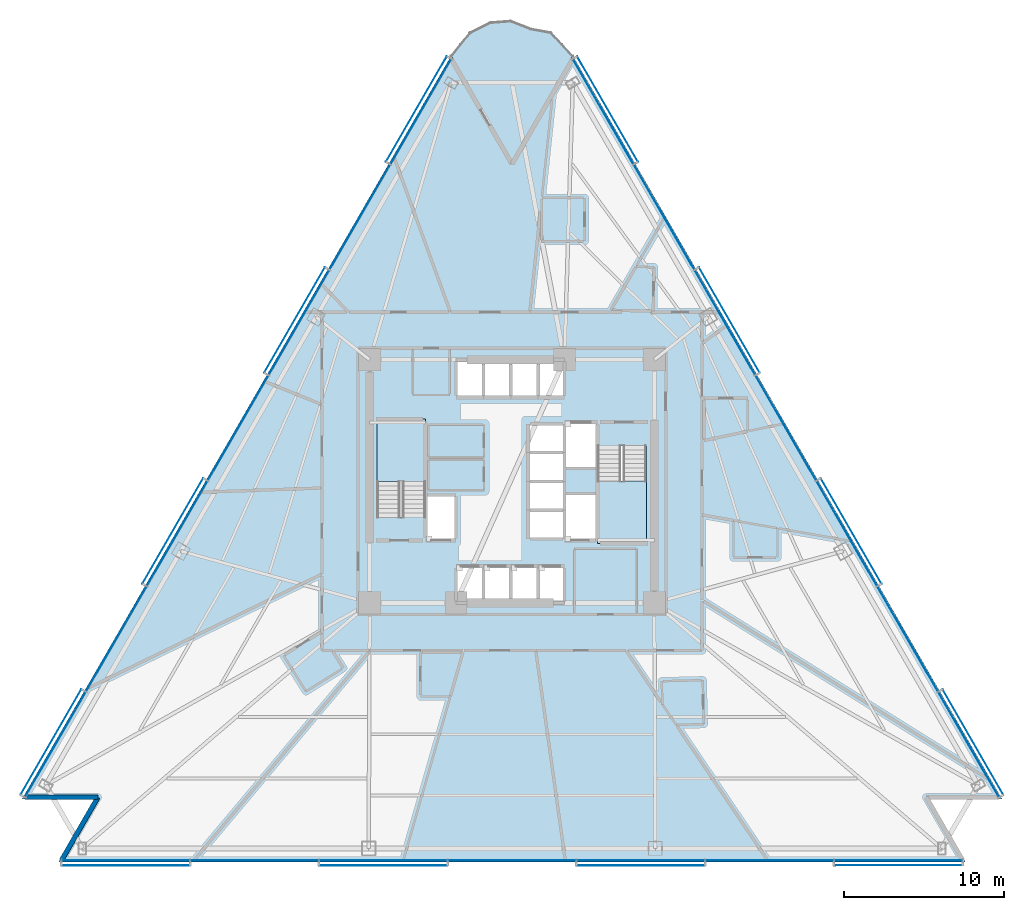
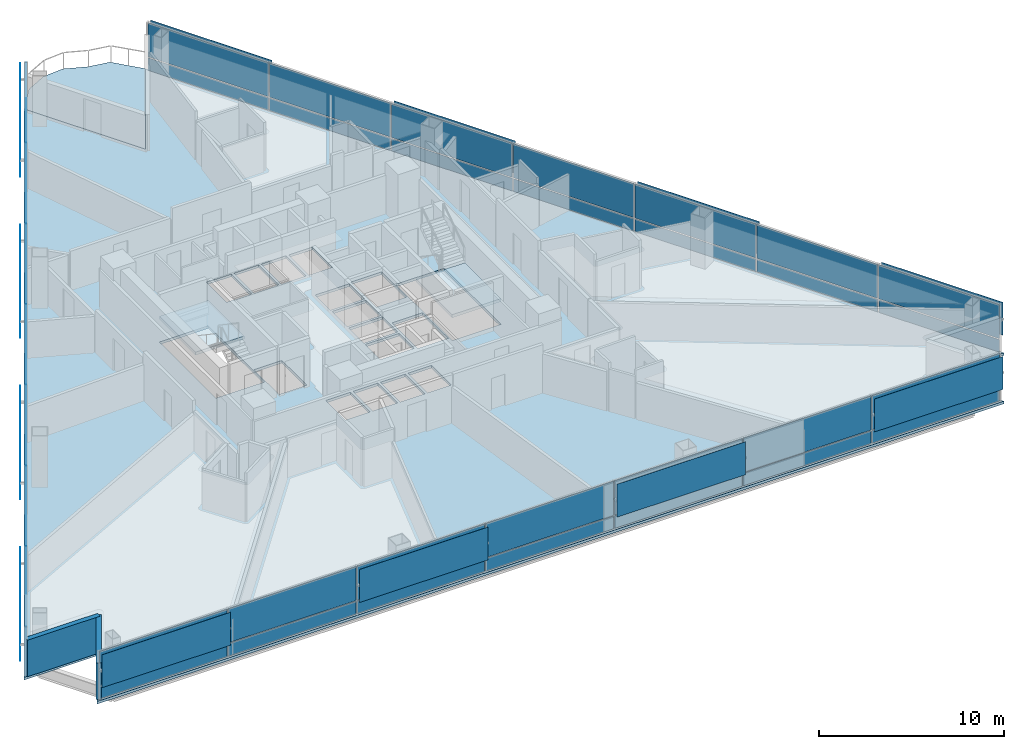
# One storey, part 6 of 17: 54 plates, 4 slabs, 2 walls, 5 elements without a shape of their own.
"""IFC4 building model written with IfcOpenShell, lengths in metres."""

from ifc_helpers import new_model, si_unit, direction, frame, frame_2d, origin, origin_2d, place, context, subcontext, project, spatial, polyline, rectangle, outline, extrude, material, layer, layer_set, type_object, element, aggregate, save


model = new_model("IFC4")

# Units and contexts
model_context = context("Model", 3, precision=1e-05, world=origin(), true_north=direction((0.0, 1.0)))
body_context = subcontext(model_context, "Body", "Model", "MODEL_VIEW")
ifc_project = project(units=[si_unit("LENGTHUNIT", "METRE"), si_unit("AREAUNIT", "SQUARE_METRE"), si_unit("VOLUMEUNIT", "CUBIC_METRE"), si_unit("PLANEANGLEUNIT", "RADIAN"), si_unit("MASSUNIT", "GRAM", prefix="KILO")], contexts=[model_context])

# Site, building, storey
site_placement = place(None, origin())
site = spatial("IfcSite", under=ifc_project, at=site_placement, CompositionType="ELEMENT")
building_placement = place(site_placement, origin())
building = spatial("IfcBuilding", under=site, at=building_placement, Name="Tharavind Bronze Gate", CompositionType="ELEMENT")
storey_placement = place(building_placement, frame((0.0, 0.0, 35.25)))
storey = spatial("IfcBuildingStorey", under=building, at=storey_placement, Name="L07", CompositionType="ELEMENT", Elevation=35.25)

# Plates
ifc_material_1 = material(Name="Perforated Bronze Alloy", Category="bronze")
ifc_layer_1 = layer(ifc_material_1, 0.011962890625)
ifc_layer_set_1 = layer_set([ifc_layer_1], Name="Perforated Bronze Alloy")
plate_type_1 = type_object("IfcPlateType", Name="BRONZE PERFORATED SOLAR SCREEN", PredefinedType="USERDEFINED", material=ifc_layer_set_1)
for number, where, z_axis, x_axis, name in (
    (1, (-5.976806640625, 23.27783203125, 0.97412109375), (0.0, 0.0, 1.0), (-0.500001511499, -0.866024531118, 0.0), "CW-L07-S1 perforated bronze solar screen 1"),
    (2, (-13.5927734375, 10.086669921875, 0.97412109375), (0.0, 0.0, 1.0), (-0.500001511499, -0.866024531118, 0.0), "CW-L07-S1 perforated bronze solar screen 3"),
    (3, (-21.208740234375, -3.1044921875, 0.97412109375), (0.0, 0.0, 1.0), (-0.500001511499, -0.866024531118, 0.0), "CW-L07-S1 perforated bronze solar screen 5"),
    (4, (-28.82470703125, -16.295654296875, 0.97412109375), (0.0, 0.0, 1.0), (-0.500001511499, -0.866024531118, 0.0), "CW-L07-S1 perforated bronze solar screen 7"),
):
    element("IfcPlate", number, at=place(storey_placement, frame(where, z_axis=z_axis, x_axis=x_axis)), inside=storey, type_object=plate_type_1, Name=name, ObjectType="SCREEN", PredefinedType="USERDEFINED", context=body_context, shape_type="SweptSolid", body=[
        extrude(rectangle(XDim=7.595947265625, YDim=0.011962890625, at=origin_2d()), origin(), (0.0, 0.0, 1.0), 2.177001953125),
    ])
for number, where, z_axis, x_axis, name in (
    (5, (-24.150634765625, -24.014892578125, 0.97412109375), (0.0, 0.0, 1.0), (1.0, 0.0, 0.0), "CW-L07-S2 perforated bronze solar screen 1"),
    (6, (-8.05029296875, -24.014892578125, 0.97412109375), (0.0, 0.0, 1.0), (1.0, 0.0, 0.0), "CW-L07-S2 perforated bronze solar screen 3"),
    (7, (8.05029296875, -24.014892578125, 0.97412109375), (0.0, 0.0, 1.0), (1.0, 0.0, 0.0), "CW-L07-S2 perforated bronze solar screen 5"),
    (8, (24.150634765625, -24.014892578125, 0.97412109375), (0.0, 0.0, 1.0), (1.0, 0.0, 0.0), "CW-L07-S2 perforated bronze solar screen 7"),
):
    element("IfcPlate", number, at=place(storey_placement, frame(where, z_axis=z_axis, x_axis=x_axis)), inside=storey, type_object=plate_type_1, Name=name, ObjectType="SCREEN", PredefinedType="USERDEFINED", context=body_context, shape_type="SweptSolid", body=[
        extrude(rectangle(XDim=8.0302734375, YDim=0.011962890625, at=origin_2d()), origin(), (0.0, 0.0, 1.0), 2.177001953125),
    ])
for number, where, z_axis, x_axis, name in (
    (9, (28.82470703125, -16.295654296875, 0.97412109375), (0.0, 0.0, 1.0), (-0.500001511499, 0.866024531118, 0.0), "CW-L07-S3 perforated bronze solar screen 1"),
    (10, (21.208740234375, -3.1044921875, 0.97412109375), (0.0, 0.0, 1.0), (-0.500001511499, 0.866024531118, 0.0), "CW-L07-S3 perforated bronze solar screen 3"),
    (11, (13.5927734375, 10.086669921875, 0.97412109375), (0.0, 0.0, 1.0), (-0.500001511499, 0.866024531118, 0.0), "CW-L07-S3 perforated bronze solar screen 5"),
    (12, (5.976806640625, 23.27783203125, 0.97412109375), (0.0, 0.0, 1.0), (-0.500001511499, 0.866024531118, 0.0), "CW-L07-S3 perforated bronze solar screen 7"),
):
    element("IfcPlate", number, at=place(storey_placement, frame(where, z_axis=z_axis, x_axis=x_axis)), inside=storey, type_object=plate_type_1, Name=name, ObjectType="SCREEN", PredefinedType="USERDEFINED", context=body_context, shape_type="SweptSolid", body=[
        extrude(rectangle(XDim=7.595947265625, YDim=0.011962890625, at=origin_2d()), origin(), (0.0, 0.0, 1.0), 2.177001953125),
    ])

# Curtain wall, plates
ifc_material_2 = material(Name="Anodised Bronze Aluminium", Category="aluminium")
ifc_layer_2 = layer(ifc_material_2, 0.219970703125)
ifc_layer_set_2 = layer_set([ifc_layer_2], Name="Anodised Bronze Aluminium")
curtain_wall_type = type_object("IfcCurtainWallType", Name="UNITISED CURTAIN WALL HOTEL", PredefinedType="USERDEFINED", material=ifc_layer_set_2)
curtain_wall_1_placement = place(storey_placement, origin())
curtain_wall_1 = element("IfcCurtainWall", 13, at=curtain_wall_1_placement, inside=storey, type_object=curtain_wall_type, Name="L07 unitised curtain wall hotel CW-L07-S1", ObjectType="UNITISED CURTAIN WALL", PredefinedType="USERDEFINED")
ifc_material_3 = material(Name="Patinated Bronze Alloy Sheet", Category="bronze")
ifc_layer_3 = layer(ifc_material_3, 0.01611328125)
ifc_layer_set_3 = layer_set([ifc_layer_3], Name="Patinated Bronze Alloy Sheet")
plate_type_2 = type_object("IfcPlateType", Name="BRONZE SPANDREL CLADDING PANEL 16", PredefinedType="CURTAIN_PANEL", material=ifc_layer_set_3)
plate_1_placement = place(storey_placement, frame((-5.7041015625, 23.120361328125, 0.033935546875), z_axis=(0.0, 0.0, 1.0), x_axis=(-0.500001511499, -0.866024531118, 0.0)))
plate_1 = element("IfcPlate", 14, at=plate_1_placement, type_object=plate_type_2, Name="CW-L07-S1 bronze spandrel panel 1", PredefinedType="CURTAIN_PANEL", context=body_context, shape_type="SweptSolid", body=[
    extrude(rectangle(XDim=7.5478515625, YDim=0.01611328125, at=origin_2d()), origin(), (0.0, 0.0, 1.0), 0.83203125),
])
plate_2_placement = place(storey_placement, frame((-9.511962890625, 16.52490234375, 0.033935546875), z_axis=(0.0, 0.0, 1.0), x_axis=(-0.500001511499, -0.866024531118, 0.0)))
plate_2 = element("IfcPlate", 15, at=plate_2_placement, type_object=plate_type_2, Name="CW-L07-S1 bronze spandrel panel 2", PredefinedType="CURTAIN_PANEL", context=body_context, shape_type="SweptSolid", body=[
    extrude(rectangle(XDim=7.5478515625, YDim=0.01611328125, at=origin_2d()), origin(), (0.0, 0.0, 1.0), 0.83203125),
])
plate_3_placement = place(storey_placement, frame((-13.31982421875, 9.92919921875, 0.033935546875), z_axis=(0.0, 0.0, 1.0), x_axis=(-0.500001511499, -0.866024531118, 0.0)))
plate_3 = element("IfcPlate", 16, at=plate_3_placement, type_object=plate_type_2, Name="CW-L07-S1 bronze spandrel panel 3", PredefinedType="CURTAIN_PANEL", context=body_context, shape_type="SweptSolid", body=[
    extrude(rectangle(XDim=7.5478515625, YDim=0.01611328125, at=origin_2d()), origin(), (0.0, 0.0, 1.0), 0.83203125),
])
plate_4_placement = place(storey_placement, frame((-17.1279296875, 3.33349609375, 0.033935546875), z_axis=(0.0, 0.0, 1.0), x_axis=(-0.500001511499, -0.866024531118, 0.0)))
plate_4 = element("IfcPlate", 17, at=plate_4_placement, type_object=plate_type_2, Name="CW-L07-S1 bronze spandrel panel 4", PredefinedType="CURTAIN_PANEL", context=body_context, shape_type="SweptSolid", body=[
    extrude(rectangle(XDim=7.5478515625, YDim=0.01611328125, at=origin_2d()), origin(), (0.0, 0.0, 1.0), 0.83203125),
])
plate_5_placement = place(storey_placement, frame((-20.935791015625, -3.261962890625, 0.033935546875), z_axis=(0.0, 0.0, 1.0), x_axis=(-0.500001511499, -0.866024531118, 0.0)))
plate_5 = element("IfcPlate", 18, at=plate_5_placement, type_object=plate_type_2, Name="CW-L07-S1 bronze spandrel panel 5", PredefinedType="CURTAIN_PANEL", context=body_context, shape_type="SweptSolid", body=[
    extrude(rectangle(XDim=7.5478515625, YDim=0.01611328125, at=origin_2d()), origin(), (0.0, 0.0, 1.0), 0.83203125),
])
plate_6_placement = place(storey_placement, frame((-24.743896484375, -9.857421875, 0.033935546875), z_axis=(0.0, 0.0, 1.0), x_axis=(-0.500001511499, -0.866024531118, 0.0)))
plate_6 = element("IfcPlate", 19, at=plate_6_placement, type_object=plate_type_2, Name="CW-L07-S1 bronze spandrel panel 6", PredefinedType="CURTAIN_PANEL", context=body_context, shape_type="SweptSolid", body=[
    extrude(rectangle(XDim=7.5478515625, YDim=0.01611328125, at=origin_2d()), origin(), (0.0, 0.0, 1.0), 0.83203125),
])
plate_7_placement = place(storey_placement, frame((-28.5517578125, -16.453125, 0.033935546875), z_axis=(0.0, 0.0, 1.0), x_axis=(-0.500001511499, -0.866024531118, 0.0)))
plate_7 = element("IfcPlate", 20, at=plate_7_placement, type_object=plate_type_2, Name="CW-L07-S1 bronze spandrel panel 7", PredefinedType="CURTAIN_PANEL", context=body_context, shape_type="SweptSolid", body=[
    extrude(rectangle(XDim=7.5478515625, YDim=0.01611328125, at=origin_2d()), origin(), (0.0, 0.0, 1.0), 0.83203125),
])

curtain_wall_2_placement = place(storey_placement, origin())
curtain_wall_2 = element("IfcCurtainWall", 21, at=curtain_wall_2_placement, inside=storey, type_object=curtain_wall_type, Name="L07 unitised curtain wall hotel CW-L07-S2", ObjectType="UNITISED CURTAIN WALL", PredefinedType="USERDEFINED")
plate_8_placement = place(storey_placement, frame((-24.150634765625, -23.699951171875, 0.033935546875), z_axis=(0.0, 0.0, 1.0), x_axis=(1.0, 0.0, 0.0)))
plate_8 = element("IfcPlate", 22, at=plate_8_placement, type_object=plate_type_2, Name="CW-L07-S2 bronze spandrel panel 1", PredefinedType="CURTAIN_PANEL", context=body_context, shape_type="SweptSolid", body=[
    extrude(rectangle(XDim=7.982177734375, YDim=0.01611328125, at=origin_2d()), origin(), (0.0, 0.0, 1.0), 0.83203125),
])
plate_9_placement = place(storey_placement, frame((-16.1005859375, -23.699951171875, 0.033935546875), z_axis=(0.0, 0.0, 1.0), x_axis=(1.0, 0.0, 0.0)))
plate_9 = element("IfcPlate", 23, at=plate_9_placement, type_object=plate_type_2, Name="CW-L07-S2 bronze spandrel panel 2", PredefinedType="CURTAIN_PANEL", context=body_context, shape_type="SweptSolid", body=[
    extrude(rectangle(XDim=7.982177734375, YDim=0.01611328125, at=origin_2d()), origin(), (0.0, 0.0, 1.0), 0.83203125),
])
plate_10_placement = place(storey_placement, frame((-8.05029296875, -23.699951171875, 0.033935546875), z_axis=(0.0, 0.0, 1.0), x_axis=(1.0, 0.0, 0.0)))
plate_10 = element("IfcPlate", 24, at=plate_10_placement, type_object=plate_type_2, Name="CW-L07-S2 bronze spandrel panel 3", PredefinedType="CURTAIN_PANEL", context=body_context, shape_type="SweptSolid", body=[
    extrude(rectangle(XDim=7.982177734375, YDim=0.01611328125, at=origin_2d()), origin(), (0.0, 0.0, 1.0), 0.83203125),
])
plate_11_placement = place(storey_placement, frame((0.0, -23.699951171875, 0.033935546875), z_axis=(0.0, 0.0, 1.0), x_axis=(1.0, 0.0, 0.0)))
plate_11 = element("IfcPlate", 25, at=plate_11_placement, type_object=plate_type_2, Name="CW-L07-S2 bronze spandrel panel 4", PredefinedType="CURTAIN_PANEL", context=body_context, shape_type="SweptSolid", body=[
    extrude(rectangle(XDim=7.982177734375, YDim=0.01611328125, at=origin_2d()), origin(), (0.0, 0.0, 1.0), 0.83203125),
])
plate_12_placement = place(storey_placement, frame((8.05029296875, -23.699951171875, 0.033935546875), z_axis=(0.0, 0.0, 1.0), x_axis=(1.0, 0.0, 0.0)))
plate_12 = element("IfcPlate", 26, at=plate_12_placement, type_object=plate_type_2, Name="CW-L07-S2 bronze spandrel panel 5", PredefinedType="CURTAIN_PANEL", context=body_context, shape_type="SweptSolid", body=[
    extrude(rectangle(XDim=7.982177734375, YDim=0.01611328125, at=origin_2d()), origin(), (0.0, 0.0, 1.0), 0.83203125),
])
plate_13_placement = place(storey_placement, frame((16.1005859375, -23.699951171875, 0.033935546875), z_axis=(0.0, 0.0, 1.0), x_axis=(1.0, 0.0, 0.0)))
plate_13 = element("IfcPlate", 27, at=plate_13_placement, type_object=plate_type_2, Name="CW-L07-S2 bronze spandrel panel 6", PredefinedType="CURTAIN_PANEL", context=body_context, shape_type="SweptSolid", body=[
    extrude(rectangle(XDim=7.982177734375, YDim=0.01611328125, at=origin_2d()), origin(), (0.0, 0.0, 1.0), 0.83203125),
])
plate_14_placement = place(storey_placement, frame((24.150634765625, -23.699951171875, 0.033935546875), z_axis=(0.0, 0.0, 1.0), x_axis=(1.0, 0.0, 0.0)))
plate_14 = element("IfcPlate", 28, at=plate_14_placement, type_object=plate_type_2, Name="CW-L07-S2 bronze spandrel panel 7", PredefinedType="CURTAIN_PANEL", context=body_context, shape_type="SweptSolid", body=[
    extrude(rectangle(XDim=7.982177734375, YDim=0.01611328125, at=origin_2d()), origin(), (0.0, 0.0, 1.0), 0.83203125),
])

curtain_wall_3_placement = place(storey_placement, origin())
curtain_wall_3 = element("IfcCurtainWall", 29, at=curtain_wall_3_placement, inside=storey, type_object=curtain_wall_type, Name="L07 unitised curtain wall hotel CW-L07-S3", ObjectType="UNITISED CURTAIN WALL", PredefinedType="USERDEFINED")
plate_15_placement = place(storey_placement, frame((28.5517578125, -16.453125, 0.033935546875), z_axis=(0.0, 0.0, 1.0), x_axis=(-0.500001511499, 0.866024531118, 0.0)))
plate_15 = element("IfcPlate", 30, at=plate_15_placement, type_object=plate_type_2, Name="CW-L07-S3 bronze spandrel panel 1", PredefinedType="CURTAIN_PANEL", context=body_context, shape_type="SweptSolid", body=[
    extrude(rectangle(XDim=7.5478515625, YDim=0.01611328125, at=origin_2d()), origin(), (0.0, 0.0, 1.0), 0.83203125),
])
plate_16_placement = place(storey_placement, frame((24.743896484375, -9.857421875, 0.033935546875), z_axis=(0.0, 0.0, 1.0), x_axis=(-0.500001511499, 0.866024531118, 0.0)))
plate_16 = element("IfcPlate", 31, at=plate_16_placement, type_object=plate_type_2, Name="CW-L07-S3 bronze spandrel panel 2", PredefinedType="CURTAIN_PANEL", context=body_context, shape_type="SweptSolid", body=[
    extrude(rectangle(XDim=7.5478515625, YDim=0.01611328125, at=origin_2d()), origin(), (0.0, 0.0, 1.0), 0.83203125),
])
plate_17_placement = place(storey_placement, frame((20.935791015625, -3.261962890625, 0.033935546875), z_axis=(0.0, 0.0, 1.0), x_axis=(-0.500001511499, 0.866024531118, 0.0)))
plate_17 = element("IfcPlate", 32, at=plate_17_placement, type_object=plate_type_2, Name="CW-L07-S3 bronze spandrel panel 3", PredefinedType="CURTAIN_PANEL", context=body_context, shape_type="SweptSolid", body=[
    extrude(rectangle(XDim=7.5478515625, YDim=0.01611328125, at=origin_2d()), origin(), (0.0, 0.0, 1.0), 0.83203125),
])
plate_18_placement = place(storey_placement, frame((17.1279296875, 3.33349609375, 0.033935546875), z_axis=(0.0, 0.0, 1.0), x_axis=(-0.500001511499, 0.866024531118, 0.0)))
plate_18 = element("IfcPlate", 33, at=plate_18_placement, type_object=plate_type_2, Name="CW-L07-S3 bronze spandrel panel 4", PredefinedType="CURTAIN_PANEL", context=body_context, shape_type="SweptSolid", body=[
    extrude(rectangle(XDim=7.5478515625, YDim=0.01611328125, at=origin_2d()), origin(), (0.0, 0.0, 1.0), 0.83203125),
])
plate_19_placement = place(storey_placement, frame((13.31982421875, 9.92919921875, 0.033935546875), z_axis=(0.0, 0.0, 1.0), x_axis=(-0.500001511499, 0.866024531118, 0.0)))
plate_19 = element("IfcPlate", 34, at=plate_19_placement, type_object=plate_type_2, Name="CW-L07-S3 bronze spandrel panel 5", PredefinedType="CURTAIN_PANEL", context=body_context, shape_type="SweptSolid", body=[
    extrude(rectangle(XDim=7.5478515625, YDim=0.01611328125, at=origin_2d()), origin(), (0.0, 0.0, 1.0), 0.83203125),
])
plate_20_placement = place(storey_placement, frame((9.511962890625, 16.52490234375, 0.033935546875), z_axis=(0.0, 0.0, 1.0), x_axis=(-0.500001511499, 0.866024531118, 0.0)))
plate_20 = element("IfcPlate", 35, at=plate_20_placement, type_object=plate_type_2, Name="CW-L07-S3 bronze spandrel panel 6", PredefinedType="CURTAIN_PANEL", context=body_context, shape_type="SweptSolid", body=[
    extrude(rectangle(XDim=7.5478515625, YDim=0.01611328125, at=origin_2d()), origin(), (0.0, 0.0, 1.0), 0.83203125),
])
plate_21_placement = place(storey_placement, frame((5.7041015625, 23.120361328125, 0.033935546875), z_axis=(0.0, 0.0, 1.0), x_axis=(-0.500001511499, 0.866024531118, 0.0)))
plate_21 = element("IfcPlate", 36, at=plate_21_placement, type_object=plate_type_2, Name="CW-L07-S3 bronze spandrel panel 7", PredefinedType="CURTAIN_PANEL", context=body_context, shape_type="SweptSolid", body=[
    extrude(rectangle(XDim=7.5478515625, YDim=0.01611328125, at=origin_2d()), origin(), (0.0, 0.0, 1.0), 0.83203125),
])

# Plate
ifc_material_4 = material(Name="Low-E Double Glazing", Category="glass")
ifc_layer_4 = layer(ifc_material_4, 0.031982421875)
ifc_layer_set_4 = layer_set([ifc_layer_4], Name="Low-E Double Glazing")
plate_type_3 = type_object("IfcPlateType", Name="DOUBLE GLAZED FACADE PANEL 32", PredefinedType="CURTAIN_PANEL", material=ifc_layer_set_4)
plate_22_placement = place(storey_placement, frame((-5.7041015625, 23.120361328125, 0.93408203125), z_axis=(0.0, 0.0, 1.0), x_axis=(-0.500001511499, -0.866024531118, 0.0)))
plate_22 = element("IfcPlate", 37, at=plate_22_placement, type_object=plate_type_3, Name="CW-L07-S1 vision glazing panel 1", PredefinedType="CURTAIN_PANEL", context=body_context, shape_type="SweptSolid", body=[
    extrude(rectangle(XDim=7.5478515625, YDim=0.031982421875, at=origin_2d()), origin(), (0.0, 0.0, 1.0), 2.257080078125),
])

plate_23_placement = place(storey_placement, frame((-9.511962890625, 16.52490234375, 0.93408203125), z_axis=(0.0, 0.0, 1.0), x_axis=(-0.500001511499, -0.866024531118, 0.0)))
plate_23 = element("IfcPlate", 38, at=plate_23_placement, type_object=plate_type_3, Name="CW-L07-S1 vision glazing panel 2", PredefinedType="CURTAIN_PANEL", context=body_context, shape_type="SweptSolid", body=[
    extrude(rectangle(XDim=7.5478515625, YDim=0.031982421875, at=origin_2d()), origin(), (0.0, 0.0, 1.0), 2.257080078125),
])

plate_24_placement = place(storey_placement, frame((-13.31982421875, 9.92919921875, 0.93408203125), z_axis=(0.0, 0.0, 1.0), x_axis=(-0.500001511499, -0.866024531118, 0.0)))
plate_24 = element("IfcPlate", 39, at=plate_24_placement, type_object=plate_type_3, Name="CW-L07-S1 vision glazing panel 3", PredefinedType="CURTAIN_PANEL", context=body_context, shape_type="SweptSolid", body=[
    extrude(rectangle(XDim=7.5478515625, YDim=0.031982421875, at=origin_2d()), origin(), (0.0, 0.0, 1.0), 2.257080078125),
])

plate_25_placement = place(storey_placement, frame((-17.1279296875, 3.33349609375, 0.93408203125), z_axis=(0.0, 0.0, 1.0), x_axis=(-0.500001511499, -0.866024531118, 0.0)))
plate_25 = element("IfcPlate", 40, at=plate_25_placement, type_object=plate_type_3, Name="CW-L07-S1 vision glazing panel 4", PredefinedType="CURTAIN_PANEL", context=body_context, shape_type="SweptSolid", body=[
    extrude(rectangle(XDim=7.5478515625, YDim=0.031982421875, at=origin_2d()), origin(), (0.0, 0.0, 1.0), 2.257080078125),
])

plate_26_placement = place(storey_placement, frame((-20.935791015625, -3.261962890625, 0.93408203125), z_axis=(0.0, 0.0, 1.0), x_axis=(-0.500001511499, -0.866024531118, 0.0)))
plate_26 = element("IfcPlate", 41, at=plate_26_placement, type_object=plate_type_3, Name="CW-L07-S1 vision glazing panel 5", PredefinedType="CURTAIN_PANEL", context=body_context, shape_type="SweptSolid", body=[
    extrude(rectangle(XDim=7.5478515625, YDim=0.031982421875, at=origin_2d()), origin(), (0.0, 0.0, 1.0), 2.257080078125),
])

plate_27_placement = place(storey_placement, frame((-24.743896484375, -9.857421875, 0.93408203125), z_axis=(0.0, 0.0, 1.0), x_axis=(-0.500001511499, -0.866024531118, 0.0)))
plate_27 = element("IfcPlate", 42, at=plate_27_placement, type_object=plate_type_3, Name="CW-L07-S1 vision glazing panel 6", PredefinedType="CURTAIN_PANEL", context=body_context, shape_type="SweptSolid", body=[
    extrude(rectangle(XDim=7.5478515625, YDim=0.031982421875, at=origin_2d()), origin(), (0.0, 0.0, 1.0), 2.257080078125),
])

plate_28_placement = place(storey_placement, frame((-28.5517578125, -16.453125, 0.93408203125), z_axis=(0.0, 0.0, 1.0), x_axis=(-0.500001511499, -0.866024531118, 0.0)))
plate_28 = element("IfcPlate", 43, at=plate_28_placement, type_object=plate_type_3, Name="CW-L07-S1 vision glazing panel 7", PredefinedType="CURTAIN_PANEL", context=body_context, shape_type="SweptSolid", body=[
    extrude(rectangle(XDim=7.5478515625, YDim=0.031982421875, at=origin_2d()), origin(), (0.0, 0.0, 1.0), 2.257080078125),
])

aggregate(curtain_wall_1, [plate_1, plate_22, plate_2, plate_23, plate_3, plate_24, plate_4, plate_25, plate_5, plate_26, plate_6, plate_27, plate_7, plate_28])

plate_29_placement = place(storey_placement, frame((-24.150634765625, -23.699951171875, 0.93408203125), z_axis=(0.0, 0.0, 1.0), x_axis=(1.0, 0.0, 0.0)))
plate_29 = element("IfcPlate", 44, at=plate_29_placement, type_object=plate_type_3, Name="CW-L07-S2 vision glazing panel 1", PredefinedType="CURTAIN_PANEL", context=body_context, shape_type="SweptSolid", body=[
    extrude(rectangle(XDim=7.982177734375, YDim=0.031982421875, at=origin_2d()), origin(), (0.0, 0.0, 1.0), 2.257080078125),
])

plate_30_placement = place(storey_placement, frame((-16.1005859375, -23.699951171875, 0.93408203125), z_axis=(0.0, 0.0, 1.0), x_axis=(1.0, 0.0, 0.0)))
plate_30 = element("IfcPlate", 45, at=plate_30_placement, type_object=plate_type_3, Name="CW-L07-S2 vision glazing panel 2", PredefinedType="CURTAIN_PANEL", context=body_context, shape_type="SweptSolid", body=[
    extrude(rectangle(XDim=7.982177734375, YDim=0.031982421875, at=origin_2d()), origin(), (0.0, 0.0, 1.0), 2.257080078125),
])

plate_31_placement = place(storey_placement, frame((-8.05029296875, -23.699951171875, 0.93408203125), z_axis=(0.0, 0.0, 1.0), x_axis=(1.0, 0.0, 0.0)))
plate_31 = element("IfcPlate", 46, at=plate_31_placement, type_object=plate_type_3, Name="CW-L07-S2 vision glazing panel 3", PredefinedType="CURTAIN_PANEL", context=body_context, shape_type="SweptSolid", body=[
    extrude(rectangle(XDim=7.982177734375, YDim=0.031982421875, at=origin_2d()), origin(), (0.0, 0.0, 1.0), 2.257080078125),
])

plate_32_placement = place(storey_placement, frame((0.0, -23.699951171875, 0.93408203125), z_axis=(0.0, 0.0, 1.0), x_axis=(1.0, 0.0, 0.0)))
plate_32 = element("IfcPlate", 47, at=plate_32_placement, type_object=plate_type_3, Name="CW-L07-S2 vision glazing panel 4", PredefinedType="CURTAIN_PANEL", context=body_context, shape_type="SweptSolid", body=[
    extrude(rectangle(XDim=7.982177734375, YDim=0.031982421875, at=origin_2d()), origin(), (0.0, 0.0, 1.0), 2.257080078125),
])

plate_33_placement = place(storey_placement, frame((8.05029296875, -23.699951171875, 0.93408203125), z_axis=(0.0, 0.0, 1.0), x_axis=(1.0, 0.0, 0.0)))
plate_33 = element("IfcPlate", 48, at=plate_33_placement, type_object=plate_type_3, Name="CW-L07-S2 vision glazing panel 5", PredefinedType="CURTAIN_PANEL", context=body_context, shape_type="SweptSolid", body=[
    extrude(rectangle(XDim=7.982177734375, YDim=0.031982421875, at=origin_2d()), origin(), (0.0, 0.0, 1.0), 2.257080078125),
])

plate_34_placement = place(storey_placement, frame((16.1005859375, -23.699951171875, 0.93408203125), z_axis=(0.0, 0.0, 1.0), x_axis=(1.0, 0.0, 0.0)))
plate_34 = element("IfcPlate", 49, at=plate_34_placement, type_object=plate_type_3, Name="CW-L07-S2 vision glazing panel 6", PredefinedType="CURTAIN_PANEL", context=body_context, shape_type="SweptSolid", body=[
    extrude(rectangle(XDim=7.982177734375, YDim=0.031982421875, at=origin_2d()), origin(), (0.0, 0.0, 1.0), 2.257080078125),
])

plate_35_placement = place(storey_placement, frame((24.150634765625, -23.699951171875, 0.93408203125), z_axis=(0.0, 0.0, 1.0), x_axis=(1.0, 0.0, 0.0)))
plate_35 = element("IfcPlate", 50, at=plate_35_placement, type_object=plate_type_3, Name="CW-L07-S2 vision glazing panel 7", PredefinedType="CURTAIN_PANEL", context=body_context, shape_type="SweptSolid", body=[
    extrude(rectangle(XDim=7.982177734375, YDim=0.031982421875, at=origin_2d()), origin(), (0.0, 0.0, 1.0), 2.257080078125),
])

aggregate(curtain_wall_2, [plate_8, plate_29, plate_9, plate_30, plate_10, plate_31, plate_11, plate_32, plate_12, plate_33, plate_13, plate_34, plate_14, plate_35])

plate_36_placement = place(storey_placement, frame((28.5517578125, -16.453125, 0.93408203125), z_axis=(0.0, 0.0, 1.0), x_axis=(-0.500001511499, 0.866024531118, 0.0)))
plate_36 = element("IfcPlate", 51, at=plate_36_placement, type_object=plate_type_3, Name="CW-L07-S3 vision glazing panel 1", PredefinedType="CURTAIN_PANEL", context=body_context, shape_type="SweptSolid", body=[
    extrude(rectangle(XDim=7.5478515625, YDim=0.031982421875, at=origin_2d()), origin(), (0.0, 0.0, 1.0), 2.257080078125),
])

plate_37_placement = place(storey_placement, frame((24.743896484375, -9.857421875, 0.93408203125), z_axis=(0.0, 0.0, 1.0), x_axis=(-0.500001511499, 0.866024531118, 0.0)))
plate_37 = element("IfcPlate", 52, at=plate_37_placement, type_object=plate_type_3, Name="CW-L07-S3 vision glazing panel 2", PredefinedType="CURTAIN_PANEL", context=body_context, shape_type="SweptSolid", body=[
    extrude(rectangle(XDim=7.5478515625, YDim=0.031982421875, at=origin_2d()), origin(), (0.0, 0.0, 1.0), 2.257080078125),
])

plate_38_placement = place(storey_placement, frame((20.935791015625, -3.261962890625, 0.93408203125), z_axis=(0.0, 0.0, 1.0), x_axis=(-0.500001511499, 0.866024531118, 0.0)))
plate_38 = element("IfcPlate", 53, at=plate_38_placement, type_object=plate_type_3, Name="CW-L07-S3 vision glazing panel 3", PredefinedType="CURTAIN_PANEL", context=body_context, shape_type="SweptSolid", body=[
    extrude(rectangle(XDim=7.5478515625, YDim=0.031982421875, at=origin_2d()), origin(), (0.0, 0.0, 1.0), 2.257080078125),
])

plate_39_placement = place(storey_placement, frame((17.1279296875, 3.33349609375, 0.93408203125), z_axis=(0.0, 0.0, 1.0), x_axis=(-0.500001511499, 0.866024531118, 0.0)))
plate_39 = element("IfcPlate", 54, at=plate_39_placement, type_object=plate_type_3, Name="CW-L07-S3 vision glazing panel 4", PredefinedType="CURTAIN_PANEL", context=body_context, shape_type="SweptSolid", body=[
    extrude(rectangle(XDim=7.5478515625, YDim=0.031982421875, at=origin_2d()), origin(), (0.0, 0.0, 1.0), 2.257080078125),
])

plate_40_placement = place(storey_placement, frame((13.31982421875, 9.92919921875, 0.93408203125), z_axis=(0.0, 0.0, 1.0), x_axis=(-0.500001511499, 0.866024531118, 0.0)))
plate_40 = element("IfcPlate", 55, at=plate_40_placement, type_object=plate_type_3, Name="CW-L07-S3 vision glazing panel 5", PredefinedType="CURTAIN_PANEL", context=body_context, shape_type="SweptSolid", body=[
    extrude(rectangle(XDim=7.5478515625, YDim=0.031982421875, at=origin_2d()), origin(), (0.0, 0.0, 1.0), 2.257080078125),
])

plate_41_placement = place(storey_placement, frame((9.511962890625, 16.52490234375, 0.93408203125), z_axis=(0.0, 0.0, 1.0), x_axis=(-0.500001511499, 0.866024531118, 0.0)))
plate_41 = element("IfcPlate", 56, at=plate_41_placement, type_object=plate_type_3, Name="CW-L07-S3 vision glazing panel 6", PredefinedType="CURTAIN_PANEL", context=body_context, shape_type="SweptSolid", body=[
    extrude(rectangle(XDim=7.5478515625, YDim=0.031982421875, at=origin_2d()), origin(), (0.0, 0.0, 1.0), 2.257080078125),
])

plate_42_placement = place(storey_placement, frame((5.7041015625, 23.120361328125, 0.93408203125), z_axis=(0.0, 0.0, 1.0), x_axis=(-0.500001511499, 0.866024531118, 0.0)))
plate_42 = element("IfcPlate", 57, at=plate_42_placement, type_object=plate_type_3, Name="CW-L07-S3 vision glazing panel 7", PredefinedType="CURTAIN_PANEL", context=body_context, shape_type="SweptSolid", body=[
    extrude(rectangle(XDim=7.5478515625, YDim=0.031982421875, at=origin_2d()), origin(), (0.0, 0.0, 1.0), 2.257080078125),
])

aggregate(curtain_wall_3, [plate_15, plate_36, plate_16, plate_37, plate_17, plate_38, plate_18, plate_39, plate_19, plate_40, plate_20, plate_41, plate_21, plate_42])

# Slab
ifc_material_5 = material(Name="Concrete C40/50", Category="concrete")
ifc_layer_5 = layer(ifc_material_5, 0.175048828125)
ifc_layer_set_5 = layer_set([ifc_layer_5], Name="Concrete C40/50")
slab_type_1 = type_object("IfcSlabType", Name="EXTERIOR BALCONY SLAB 175", PredefinedType="FLOOR", material=ifc_layer_set_5)
slab_1_placement = place(storey_placement, frame((0.0, 0.0, -0.175048828125)))
element("IfcSlab", 58, at=slab_1_placement, inside=storey, type_object=slab_type_1, Name="L07 northeast tree balcony slab", PredefinedType="FLOOR", context=body_context, shape_type="SweptSolid", body=[
    extrude(outline(polyline([(2.44384765625, 28.1181640625), (1.17724609375, 28.349609375), (-0.089599609375, 28.847900390625), (-1.356201171875, 28.7490234375), (-2.622802734375, 28.1181640625), (-3.800048828125, 26.6181640625), (0.0, 20.036376953125), (3.800048828125, 26.6181640625), (2.44384765625, 28.1181640625)])), origin(), (0.0, 0.0, 1.0), 0.175048828125),
])

# Stair, slab
stair_type = type_object("IfcStairType", Name="CORE HALF TURN STAIR 1450", PredefinedType="HALF_TURN_STAIR", material=ifc_material_5)
stair_1_placement = place(storey_placement, origin())
stair_1 = element("IfcStair", 59, at=stair_1_placement, inside=storey, type_object=stair_type, Name="L07 Protected Exit Stair ST1", PredefinedType="HALF_TURN_STAIR")
ifc_layer_6 = layer(ifc_material_5, 0.199951171875)
ifc_layer_set_6 = layer_set([ifc_layer_6], Name="Concrete C40/50")
slab_type_2 = type_object("IfcSlabType", Name="STAIR LANDING SLAB 200", PredefinedType="LANDING", material=ifc_layer_set_6)
slab_2_placement = place(storey_placement, frame((0.0, 0.0, 1.5)))
slab_2 = element("IfcSlab", 60, at=slab_2_placement, type_object=slab_type_2, Name="ST1 landing 1", PredefinedType="LANDING", context=body_context, shape_type="SweptSolid", body=[
    extrude(outline(polyline([(-5.39990234375, -0.010009765625), (-5.39990234375, 3.89990234375), (-8.449951171875, 3.89990234375), (-8.449951171875, -0.010009765625), (-5.39990234375, -0.010009765625)])), origin(), (0.0, 0.0, 1.0), 0.199951171875),
])
aggregate(stair_1, [slab_2])

stair_2_placement = place(storey_placement, origin())
stair_2 = element("IfcStair", 61, at=stair_2_placement, inside=storey, type_object=stair_type, Name="L07 Protected Exit Stair ST2", PredefinedType="HALF_TURN_STAIR")
slab_3_placement = place(storey_placement, frame((0.0, 0.0, 1.5)))
slab_3 = element("IfcSlab", 62, at=slab_3_placement, type_object=slab_type_2, Name="ST2 landing 1", PredefinedType="LANDING", context=body_context, shape_type="SweptSolid", body=[
    extrude(outline(polyline([(5.35009765625, 0.010009765625), (5.35009765625, -3.89990234375), (8.39990234375, -3.89990234375), (8.39990234375, 0.010009765625), (5.35009765625, 0.010009765625)])), origin(), (0.0, 0.0, 1.0), 0.199951171875),
])
aggregate(stair_2, [slab_3])

# Slab
ifc_layer_7 = layer(ifc_material_5, 0.175048828125)
ifc_layer_set_7 = layer_set([ifc_layer_7], Name="Concrete C40/50")
slab_type_3 = type_object("IfcSlabType", Name="STRUCTURAL FLOOR SLAB 175", PredefinedType="FLOOR", material=ifc_layer_set_7)
slab_4_placement = place(storey_placement, frame((0.0, 0.0, -0.175048828125)))
element("IfcSlab", 63, at=slab_4_placement, inside=storey, type_object=slab_type_3, Name="L07 main structural floor slab", PredefinedType="FLOOR", context=body_context, shape_type="SweptSolid", body=[
    extrude(outline(polyline([(3.800048828125, 26.6181640625), (0.0, 20.036376953125), (-3.800048828125, 26.6181640625), (-30.62890625, -19.850830078125), (-26.069091796875, -19.850830078125), (-28.34912109375, -23.800048828125), (28.34912109375, -23.800048828125), (26.069091796875, -19.850830078125), (30.62890625, -19.850830078125), (3.800048828125, 26.6181640625)]), holes=[polyline([(-5.39990234375, -2.215087890625), (-5.39990234375, 3.89990234375), (-8.449951171875, 3.89990234375), (-8.449951171875, -2.215087890625), (-5.39990234375, -2.215087890625)]), polyline([(5.35009765625, 2.215087890625), (5.35009765625, -3.89990234375), (8.39990234375, -3.89990234375), (8.39990234375, 2.215087890625), (5.35009765625, 2.215087890625)]), polyline([(-3.419921875, -7.52001953125), (-1.867431640625, -7.52001953125), (-1.867431640625, -5.3798828125), (-3.419921875, -5.3798828125), (-3.419921875, -7.52001953125)]), polyline([(-1.70751953125, -7.52001953125), (-0.155029296875, -7.52001953125), (-0.155029296875, -5.3798828125), (-1.70751953125, -5.3798828125), (-1.70751953125, -7.52001953125)]), polyline([(0.0048828125, -7.52001953125), (1.5576171875, -7.52001953125), (1.5576171875, -5.3798828125), (0.0048828125, -5.3798828125), (0.0048828125, -7.52001953125)]), polyline([(1.717529296875, -7.52001953125), (3.199951171875, -7.52001953125), (3.199951171875, -5.3798828125), (1.717529296875, -5.3798828125), (1.717529296875, -7.52001953125)]), polyline([(-3.419921875, 5.330078125), (-1.867431640625, 5.330078125), (-1.867431640625, 7.52001953125), (-3.419921875, 7.52001953125), (-3.419921875, 5.330078125)]), polyline([(-1.70751953125, 5.330078125), (-0.155029296875, 5.330078125), (-0.155029296875, 7.52001953125), (-1.70751953125, 7.52001953125), (-1.70751953125, 5.330078125)]), polyline([(0.0048828125, 5.330078125), (1.5576171875, 5.330078125), (1.5576171875, 7.52001953125), (0.0048828125, 7.52001953125), (0.0048828125, 5.330078125)]), polyline([(1.717529296875, 5.330078125), (3.199951171875, 5.330078125), (3.199951171875, 7.52001953125), (1.717529296875, 7.52001953125), (1.717529296875, 5.330078125)]), polyline([(1.080078125, -3.52001953125), (3.199951171875, -3.52001953125), (3.199951171875, -1.8798828125), (1.080078125, -1.8798828125), (1.080078125, -3.52001953125)]), polyline([(1.080078125, -1.719970703125), (3.199951171875, -1.719970703125), (3.199951171875, -0.080078125), (1.080078125, -0.080078125), (1.080078125, -1.719970703125)]), polyline([(1.080078125, 0.080078125), (3.199951171875, 0.080078125), (3.199951171875, 1.719970703125), (1.080078125, 1.719970703125), (1.080078125, 0.080078125)]), polyline([(1.080078125, 1.8798828125), (3.199951171875, 1.8798828125), (3.199951171875, 3.52001953125), (1.080078125, 3.52001953125), (1.080078125, 1.8798828125)]), polyline([(-5.320068359375, -3.6201171875), (-3.580078125, -3.6201171875), (-3.580078125, -0.929931640625), (-5.320068359375, -0.929931640625), (-5.320068359375, -3.6201171875)]), polyline([(3.360107421875, 0.8798828125), (5.27001953125, 0.8798828125), (5.27001953125, 3.6201171875), (3.360107421875, 3.6201171875), (3.360107421875, 0.8798828125)]), polyline([(3.360107421875, -3.6201171875), (5.27001953125, -3.6201171875), (5.27001953125, -0.830078125), (3.360107421875, -0.830078125), (3.360107421875, -3.6201171875)])]), origin(), (0.0, 0.0, 1.0), 0.175048828125),
])

# Walls
ifc_layer_8 = layer(ifc_material_5, 0.300048828125)
ifc_layer_set_8 = layer_set([ifc_layer_8], Name="Concrete C40/50")
wall_type = type_object("IfcWallType", Name="EXTERIOR SPANDREL WALL 300", PredefinedType="STANDARD", material=ifc_layer_set_8)
wall_1_placement = place(storey_placement, frame((-30.455810546875, -19.7509765625, 0.0), z_axis=(0.0, 0.0, 1.0), x_axis=(1.0, 0.0, 0.0)))
element("IfcWall", 64, at=wall_1_placement, inside=storey, type_object=wall_type, Name="L07 notch cheek wall 2A", PredefinedType="STANDARD", context=body_context, shape_type="SweptSolid", body=[
    extrude(rectangle(XDim=4.56005859375, YDim=0.300048828125, at=frame_2d((2.280029296875, 0.0))), origin(), (0.0, 0.0, 1.0), 2.419921875),
])
wall_2_placement = place(storey_placement, frame((-25.895751953125, -19.7509765625, 0.0), z_axis=(0.0, 0.0, 1.0), x_axis=(-0.500014431597, -0.866017071537, 0.0)))
element("IfcWall", 65, at=wall_2_placement, inside=storey, type_object=wall_type, Name="L07 notch cheek wall 2B", PredefinedType="STANDARD", context=body_context, shape_type="SweptSolid", body=[
    extrude(rectangle(XDim=4.559814453125, YDim=0.300048828125, at=frame_2d((2.27978515625, 0.0))), origin(), (0.0, 0.0, 1.0), 2.419921875),
])

save(model, "model.ifc")
